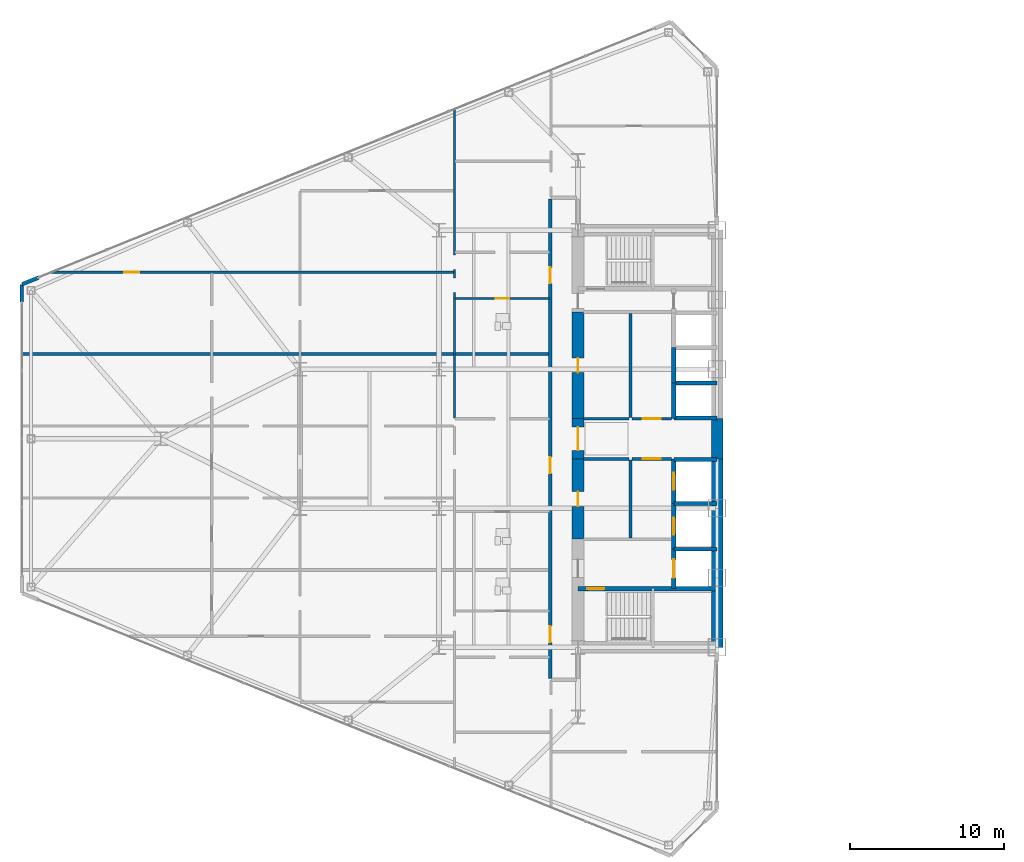
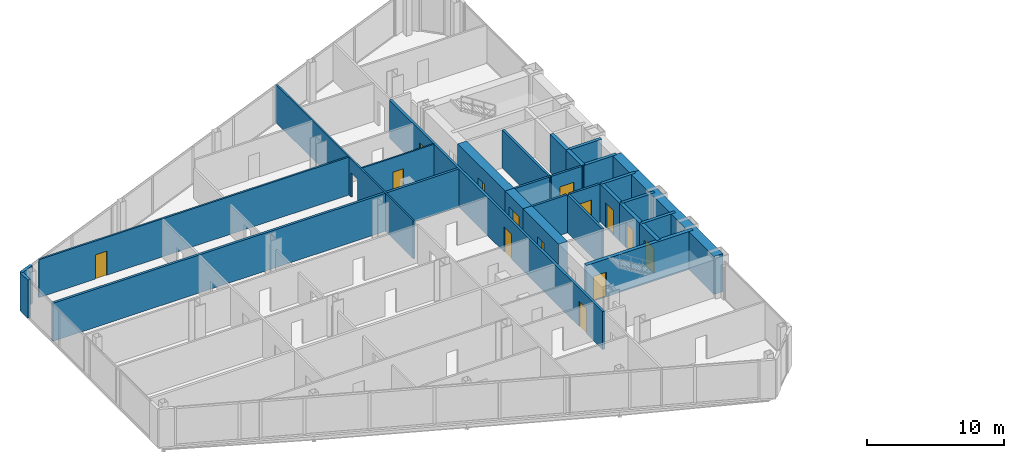
# One storey, part 18 of 25: 29 walls, 14 doors, 16 openings.
"""IFC4 building model written with IfcOpenShell, lengths in metres."""

from ifc_helpers import new_model, si_unit, direction, frame, frame_2d, origin, place, context, subcontext, project, spatial, rectangle, extrude, source, transform, mapped, material, layer, layer_set, type_object, type_shapes, element, fill, save


model = new_model("IFC4")

# Units and contexts
model_context = context("Model", 3, precision=1e-05, world=origin(), true_north=direction((0.0, 1.0)))
body_context = subcontext(model_context, "Body", "Model", "MODEL_VIEW")
ifc_project = project(units=[si_unit("LENGTHUNIT", "METRE"), si_unit("AREAUNIT", "SQUARE_METRE"), si_unit("VOLUMEUNIT", "CUBIC_METRE"), si_unit("PLANEANGLEUNIT", "RADIAN"), si_unit("MASSUNIT", "GRAM", prefix="KILO")], contexts=[model_context])

# Site, building, storey
site_placement = place(None, origin())
site = spatial("IfcSite", under=ifc_project, at=site_placement, CompositionType="ELEMENT")
building_placement = place(site_placement, origin())
building = spatial("IfcBuilding", under=site, at=building_placement, Name="Seokmaru Belvedere", CompositionType="ELEMENT")
storey_placement = place(building_placement, frame((0.0, 0.0, 44.10009765625)))
storey = spatial("IfcBuildingStorey", under=building, at=storey_placement, Name="L11", CompositionType="ELEMENT", Elevation=44.10009765625)

# Wall, opening, door
ifc_material_1 = material(Name="Fire-Rated Gypsum Shaftwall")
ifc_layer_1 = layer(ifc_material_1, 0.14990234375)
ifc_layer_set_1 = layer_set([ifc_layer_1], Name="Fire-Rated Gypsum Shaftwall")
wall_type_1 = type_object("IfcWallType", Name="Apartment Fire-Acoustic Room Partition 150", PredefinedType="PARTITIONING", material=ifc_layer_set_1)
wall_1_placement = place(storey_placement, frame((-70.613037109375, 10.780029296875, 0.0), z_axis=(0.0, 0.0, 1.0), x_axis=(1.0, 0.0, 0.0)))
wall_1 = element("IfcWall", 1, at=wall_1_placement, inside=storey, type_object=wall_type_1, Name="L11 Interior Partition 026", PredefinedType="PARTITIONING", context=body_context, shape_type="SweptSolid", body=[
    extrude(rectangle(XDim=26.06298828125, YDim=0.14990234375, at=frame_2d((13.031494140625, 0.0))), origin(), (0.0, 0.0, 1.0), 3.3798828125),
])
opening_1_placement = place(wall_1_placement, frame((4.748779296875, 0.0, 0.0)))
opening_1 = element("IfcOpeningElement", 2, at=opening_1_placement, cuts=wall_1, Name="Opening D05", PredefinedType="OPENING", context=body_context, shape_type="SweptSolid", body=[
    extrude(rectangle(XDim=0.949951171875, YDim=2.14990234375, at=frame_2d((0.47509765625, 1.074951171875))), frame((0.0, 0.0849609375, 0.0), z_axis=(0.0, -1.0, 0.0), x_axis=(1.0, 0.0, 0.0)), (0.0, 0.0, 1.0), 0.169921875),
])
ifc_material_2 = material(Name="Engineered White Oak Timber", Category="wood")
door_type_1 = type_object("IfcDoorType", Name="Apartment Interior Fire-Rated Oak Door 950x2150", OperationType="NOTDEFINED", PredefinedType="DOOR", material=ifc_material_2)
shared_shape_1 = source(origin(), body_context, "Body", "SweptSolid", [
    extrude(rectangle(XDim=0.949951171875, YDim=2.14990234375, at=frame_2d((0.47509765625, 1.074951171875))), frame((0.0, 0.02490234375, 0.0), z_axis=(0.0, -1.0, 0.0), x_axis=(1.0, 0.0, 0.0)), (0.0, 0.0, 1.0), 0.050048828125),
])
type_shapes(door_type_1, [shared_shape_1])
door_1_placement = place(opening_1_placement, origin())
door_1 = element("IfcDoor", 3, at=door_1_placement, inside=storey, type_object=door_type_1, Name="L11 Interior Door 032", OperationType="SINGLE_SWING_LEFT", OverallHeight=2.14990234375, OverallWidth=0.949951171875, PredefinedType="DOOR", context=body_context, shape_type="MappedRepresentation", body=[
    mapped(shared_shape_1, transform((0.0, 0.0, 0.0), scale=1.0)),
])
fill(opening_1, door_1)

# Walls
ifc_layer_2 = layer(ifc_material_1, 0.179931640625)
ifc_layer_set_2 = layer_set([ifc_layer_2], Name="Fire-Rated Gypsum Shaftwall")
wall_type_2 = type_object("IfcWallType", Name="Core Service Fire Partition 180", PredefinedType="PARTITIONING", material=ifc_layer_set_2)
wall_2_placement = place(storey_placement, frame((-33.10009765625, -6.419921875, 0.0), z_axis=(0.0, 0.0, 1.0), x_axis=(0.0, 1.0, 0.0)))
element("IfcWall", 4, at=wall_2_placement, inside=storey, type_object=wall_type_2, Name="L11 West South Core Service Back Wall", PredefinedType="PARTITIONING", context=body_context, shape_type="SweptSolid", body=[
    extrude(rectangle(XDim=5.0400390625, YDim=0.179931640625, at=frame_2d((2.52001953125, 0.0))), origin(), (0.0, 0.0, 1.0), 3.3798828125),
])
wall_3_placement = place(storey_placement, frame((-33.10009765625, 1.3798828125, 0.0), z_axis=(0.0, 0.0, 1.0), x_axis=(0.0, 1.0, 0.0)))
element("IfcWall", 5, at=wall_3_placement, inside=storey, type_object=wall_type_2, Name="L11 West North Core Service Back Wall", PredefinedType="PARTITIONING", context=body_context, shape_type="SweptSolid", body=[
    extrude(rectangle(XDim=6.740234375, YDim=0.179931640625, at=frame_2d((3.3701171875, 0.0))), origin(), (0.0, 0.0, 1.0), 3.3798828125),
])

# Wall, opening, door
wall_4_placement = place(storey_placement, frame((-33.02001953125, -1.300048828125, 0.0), z_axis=(0.0, 0.0, 1.0), x_axis=(1.0, 0.0, 0.0)))
wall_4 = element("IfcWall", 6, at=wall_4_placement, inside=storey, type_object=wall_type_2, Name="L11 West South Lift Lobby Foyer Wall", PredefinedType="PARTITIONING", context=body_context, shape_type="SweptSolid", body=[
    extrude(rectangle(XDim=2.570068359375, YDim=0.179931640625, at=frame_2d((1.28515625, 0.0))), origin(), (0.0, 0.0, 1.0), 3.3798828125),
])
opening_2_placement = place(wall_4_placement, frame((0.7099609375, 0.0, 0.0)))
opening_2 = element("IfcOpeningElement", 7, at=opening_2_placement, cuts=wall_4, Name="Opening D02", PredefinedType="OPENING", context=body_context, shape_type="SweptSolid", body=[
    extrude(rectangle(XDim=1.14990234375, YDim=2.199951171875, at=frame_2d((0.574951171875, 1.10009765625))), frame((0.0, 0.10009765625, 0.0), z_axis=(0.0, -1.0, 0.0), x_axis=(1.0, 0.0, 0.0)), (0.0, 0.0, 1.0), 0.199951171875),
])
ifc_material_3 = material(Name="Fire-Rated Steel Leaf", Category="steel")
door_type_2 = type_object("IfcDoorType", Name="Lobby and Vestibule Fire Door 1150x2200", OperationType="NOTDEFINED", PredefinedType="DOOR", material=ifc_material_3)
shared_shape_2 = source(origin(), body_context, "Body", "SweptSolid", [
    extrude(rectangle(XDim=1.14990234375, YDim=2.199951171875, at=frame_2d((0.574951171875, 1.10009765625))), frame((0.0, 0.02490234375, 0.0), z_axis=(0.0, -1.0, 0.0), x_axis=(1.0, 0.0, 0.0)), (0.0, 0.0, 1.0), 0.050048828125),
])
type_shapes(door_type_2, [shared_shape_2])
door_2_placement = place(opening_2_placement, origin())
door_2 = element("IfcDoor", 8, at=door_2_placement, inside=storey, type_object=door_type_2, Name="L11 West South Core Foyer Door", OperationType="SINGLE_SWING_LEFT", OverallHeight=2.199951171875, OverallWidth=1.14990234375, PredefinedType="DOOR", context=body_context, shape_type="MappedRepresentation", body=[
    mapped(shared_shape_2, transform((0.0, 0.0, 0.0), scale=1.0)),
])
fill(opening_2, door_2)

wall_5_placement = place(storey_placement, frame((-33.02001953125, 1.300048828125, 0.0), z_axis=(0.0, 0.0, 1.0), x_axis=(1.0, 0.0, 0.0)))
wall_5 = element("IfcWall", 9, at=wall_5_placement, inside=storey, type_object=wall_type_2, Name="L11 West North Lift Lobby Foyer Wall", PredefinedType="PARTITIONING", context=body_context, shape_type="SweptSolid", body=[
    extrude(rectangle(XDim=2.570068359375, YDim=0.179931640625, at=frame_2d((1.28515625, 0.0))), origin(), (0.0, 0.0, 1.0), 3.3798828125),
])
opening_3_placement = place(wall_5_placement, frame((0.7099609375, 0.0, 0.0)))
opening_3 = element("IfcOpeningElement", 10, at=opening_3_placement, cuts=wall_5, Name="Opening D02", PredefinedType="OPENING", context=body_context, shape_type="SweptSolid", body=[
    extrude(rectangle(XDim=1.14990234375, YDim=2.199951171875, at=frame_2d((0.574951171875, 1.10009765625))), frame((0.0, 0.10009765625, 0.0), z_axis=(0.0, -1.0, 0.0), x_axis=(1.0, 0.0, 0.0)), (0.0, 0.0, 1.0), 0.199951171875),
])
door_3_placement = place(opening_3_placement, origin())
door_3 = element("IfcDoor", 11, at=door_3_placement, inside=storey, type_object=door_type_2, Name="L11 West North Lift Lobby Door", OperationType="SINGLE_SWING_RIGHT", OverallHeight=2.199951171875, OverallWidth=1.14990234375, PredefinedType="DOOR", context=body_context, shape_type="MappedRepresentation", body=[
    mapped(shared_shape_2, transform((0.0, 0.0, 0.0), scale=1.0)),
])
fill(opening_3, door_3)

# Walls
for number, where, z_axis, x_axis, name in (
    (12, (-36.14990234375, -1.300048828125, 0.0), (0.0, 0.0, 1.0), (1.0, 0.0, 0.0), "L11 West Foyer Side Wall S"),
    (13, (-36.14990234375, 1.300048828125, 0.0), (0.0, 0.0, 1.0), (1.0, 0.0, 0.0), "L11 West Foyer Side Wall N"),
):
    element("IfcWall", number, at=place(storey_placement, frame(where, z_axis=z_axis, x_axis=x_axis)), inside=storey, type_object=wall_type_2, Name=name, PredefinedType="PARTITIONING", context=body_context, shape_type="SweptSolid", body=[
        extrude(rectangle(XDim=2.949951171875, YDim=0.179931640625, at=frame_2d((1.47509765625, 0.0))), origin(), (0.0, 0.0, 1.0), 3.3798828125),
    ])
ifc_material_4 = material(Name="Concrete C50 (50 MPa)", Category="concrete")
ifc_layer_3 = layer(ifc_material_4, 0.25)
ifc_layer_set_3 = layer_set([ifc_layer_3], Name="Concrete C50 (50 MPa)")
wall_type_3 = type_object("IfcWallType", Name="Hoistway Transverse Concrete Divider Wall 250", PredefinedType="SHEAR", material=ifc_layer_set_3)
for number, where, z_axis, x_axis, name in (
    (14, (-30.300048828125, -7.14990234375, 0.0), (0.0, 0.0, 1.0), (1.0, 0.0, 0.0), "L11 West Hoistway Divider Core Wall 1"),
    (15, (-30.300048828125, -4.199951171875, 0.0), (0.0, 0.0, 1.0), (1.0, 0.0, 0.0), "L11 West Hoistway Divider Core Wall 2"),
    (16, (-30.300048828125, -1.35009765625, 0.0), (0.0, 0.0, 1.0), (1.0, 0.0, 0.0), "L11 West Hoistway Divider Core Wall 3"),
    (17, (-30.300048828125, 1.35009765625, 0.0), (0.0, 0.0, 1.0), (1.0, 0.0, 0.0), "L11 West Hoistway Divider Core Wall 4"),
    (18, (-30.300048828125, 3.60009765625, 0.0), (0.0, 0.0, 1.0), (1.0, 0.0, 0.0), "L11 West Hoistway Divider Core Wall 5"),
):
    element("IfcWall", number, at=place(storey_placement, frame(where, z_axis=z_axis, x_axis=x_axis)), inside=storey, type_object=wall_type_3, Name=name, PredefinedType="SHEAR", context=body_context, shape_type="SweptSolid", body=[
        extrude(rectangle(XDim=2.800048828125, YDim=0.25, at=frame_2d((1.39990234375, 0.0))), origin(), (0.0, 0.0, 1.0), 3.3798828125),
    ])
ifc_layer_4 = layer(ifc_material_1, 0.199951171875)
ifc_layer_set_4 = layer_set([ifc_layer_4], Name="Fire-Rated Gypsum Shaftwall")
wall_type_4 = type_object("IfcWallType", Name="Inter-Tenancy Fire Compartment Partition 200", PredefinedType="PARTITIONING", material=ifc_layer_set_4)
wall_6_placement = place(storey_placement, frame((-72.5048828125, 5.5, 0.0), z_axis=(0.0, 0.0, 1.0), x_axis=(1.0, 0.0, 0.0)))
element("IfcWall", 19, at=wall_6_placement, inside=storey, type_object=wall_type_4, Name="L11 Interior Partition 022", PredefinedType="PARTITIONING", context=body_context, shape_type="SweptSolid", body=[
    extrude(rectangle(XDim=34.125, YDim=0.199951171875, at=frame_2d((17.0625, 0.0))), origin(), (0.0, 0.0, 1.0), 3.3798828125),
])

# Wall, openings, doors
wall_7_placement = place(storey_placement, frame((-38.300048828125, -15.514892578125, 0.0), z_axis=(0.0, 0.0, 1.0), x_axis=(0.0, 1.0, 0.0)))
wall_7 = element("IfcWall", 20, at=wall_7_placement, inside=storey, type_object=wall_type_4, Name="L11 Interior Partition 038", PredefinedType="PARTITIONING", context=body_context, shape_type="SweptSolid", body=[
    extrude(rectangle(XDim=31.02978515625, YDim=0.199951171875, at=frame_2d((15.514892578125, 0.0))), origin(), (0.0, 0.0, 1.0), 3.3798828125),
])
opening_4_placement = place(wall_7_placement, frame((2.344970703125, 0.0, 0.0)))
opening_4 = element("IfcOpeningElement", 21, at=opening_4_placement, cuts=wall_7, Name="Opening D03", PredefinedType="OPENING", context=body_context, shape_type="SweptSolid", body=[
    extrude(rectangle(XDim=1.050048828125, YDim=2.25, at=frame_2d((0.52490234375, 1.125))), frame((0.0, 0.10986328125, 0.0), z_axis=(0.0, -1.0, 0.0), x_axis=(1.0, 0.0, 0.0)), (0.0, 0.0, 1.0), 0.219970703125),
])
opening_5_placement = place(wall_7_placement, frame((13.280029296875, 0.0, 0.0)))
opening_5 = element("IfcOpeningElement", 22, at=opening_5_placement, cuts=wall_7, Name="Opening D03", PredefinedType="OPENING", context=body_context, shape_type="SweptSolid", body=[
    extrude(rectangle(XDim=1.050048828125, YDim=2.25, at=frame_2d((0.52490234375, 1.125))), frame((0.0, 0.10986328125, 0.0), z_axis=(0.0, -1.0, 0.0), x_axis=(1.0, 0.0, 0.0)), (0.0, 0.0, 1.0), 0.219970703125),
])
opening_6_placement = place(wall_7_placement, frame((25.5673828125, 0.0, 0.0)))
opening_6 = element("IfcOpeningElement", 23, at=opening_6_placement, cuts=wall_7, Name="Opening D03", PredefinedType="OPENING", context=body_context, shape_type="SweptSolid", body=[
    extrude(rectangle(XDim=1.050048828125, YDim=2.25, at=frame_2d((0.52490234375, 1.125))), frame((0.0, 0.10986328125, 0.0), z_axis=(0.0, -1.0, 0.0), x_axis=(1.0, 0.0, 0.0)), (0.0, 0.0, 1.0), 0.219970703125),
])
door_type_3 = type_object("IfcDoorType", Name="Apartment Entrance Fire Door 1050x2250", OperationType="NOTDEFINED", PredefinedType="DOOR", material=ifc_material_3)
shared_shape_3 = source(origin(), body_context, "Body", "SweptSolid", [
    extrude(rectangle(XDim=1.050048828125, YDim=2.25, at=frame_2d((0.52490234375, 1.125))), frame((0.0, 0.02490234375, 0.0), z_axis=(0.0, -1.0, 0.0), x_axis=(1.0, 0.0, 0.0)), (0.0, 0.0, 1.0), 0.050048828125),
])
type_shapes(door_type_3, [shared_shape_3])
door_4_placement = place(opening_4_placement, origin())
door_4 = element("IfcDoor", 24, at=door_4_placement, inside=storey, type_object=door_type_3, Name="L11 Interior Door 001", OperationType="SINGLE_SWING_RIGHT", OverallHeight=2.25, OverallWidth=1.050048828125, PredefinedType="DOOR", context=body_context, shape_type="MappedRepresentation", body=[
    mapped(shared_shape_3, transform((0.0, 0.0, 0.0), scale=1.0)),
])
fill(opening_4, door_4)
door_5_placement = place(opening_5_placement, origin())
door_5 = element("IfcDoor", 25, at=door_5_placement, inside=storey, type_object=door_type_3, Name="L11 Interior Door 013", OperationType="SINGLE_SWING_LEFT", OverallHeight=2.25, OverallWidth=1.050048828125, PredefinedType="DOOR", context=body_context, shape_type="MappedRepresentation", body=[
    mapped(shared_shape_3, transform((0.0, 0.0, 0.0), scale=1.0)),
])
fill(opening_5, door_5)
door_6_placement = place(opening_6_placement, origin())
door_6 = element("IfcDoor", 26, at=door_6_placement, inside=storey, type_object=door_type_3, Name="L11 Interior Door 025", OperationType="SINGLE_SWING_RIGHT", OverallHeight=2.25, OverallWidth=1.050048828125, PredefinedType="DOOR", context=body_context, shape_type="MappedRepresentation", body=[
    mapped(shared_shape_3, transform((0.0, 0.0, 0.0), scale=1.0)),
])
fill(opening_6, door_6)

# Wall, opening, door
ifc_layer_5 = layer(ifc_material_4, 0.300048828125)
ifc_layer_set_5 = layer_set([ifc_layer_5], Name="Concrete C50 (50 MPa)")
wall_type_5 = type_object("IfcWallType", Name="Internal Core Stair and Hoistway Wall 300", PredefinedType="SHEAR", material=ifc_layer_set_5)
wall_8_placement = place(storey_placement, frame((-36.5, -9.699951171875, 0.0), z_axis=(0.0, 0.0, 1.0), x_axis=(1.0, 0.0, 0.0)))
wall_8 = element("IfcWall", 27, at=wall_8_placement, inside=storey, type_object=wall_type_5, Name="L11 West Stair ST-1 Enclosure Wall", PredefinedType="SHEAR", context=body_context, shape_type="SweptSolid", body=[
    extrude(rectangle(XDim=9.0, YDim=0.300048828125, at=frame_2d((4.5, 0.0))), origin(), (0.0, 0.0, 1.0), 3.3798828125),
])
opening_7_placement = place(wall_8_placement, frame((0.60009765625, 0.0, 0.0)))
opening_7 = element("IfcOpeningElement", 28, at=opening_7_placement, cuts=wall_8, Name="Opening D01", PredefinedType="OPENING", context=body_context, shape_type="SweptSolid", body=[
    extrude(rectangle(XDim=1.10009765625, YDim=2.199951171875, at=frame_2d((0.550048828125, 1.10009765625))), frame((0.0, 0.16015625, 0.0), z_axis=(0.0, -1.0, 0.0), x_axis=(1.0, 0.0, 0.0)), (0.0, 0.0, 1.0), 0.320068359375),
])
door_type_4 = type_object("IfcDoorType", Name="Special Escape Stair Smokeproof Fire Door 1100x2200", OperationType="NOTDEFINED", PredefinedType="DOOR", material=ifc_material_3)
shared_shape_4 = source(origin(), body_context, "Body", "SweptSolid", [
    extrude(rectangle(XDim=1.10009765625, YDim=2.199951171875, at=frame_2d((0.550048828125, 1.10009765625))), frame((0.0, 0.02490234375, 0.0), z_axis=(0.0, -1.0, 0.0), x_axis=(1.0, 0.0, 0.0)), (0.0, 0.0, 1.0), 0.050048828125),
])
type_shapes(door_type_4, [shared_shape_4])
door_7_placement = place(opening_7_placement, frame((1.10009765625, 0.0, 0.0), z_axis=(0.0, 0.0, 1.0), x_axis=(-1.0, 0.0, 0.0)))
door_7 = element("IfcDoor", 29, at=door_7_placement, inside=storey, type_object=door_type_4, Name="L11 West Special Escape Stair ST-1 Door", OperationType="SINGLE_SWING_LEFT", OverallHeight=2.199951171875, OverallWidth=1.10009765625, PredefinedType="DOOR", context=body_context, shape_type="MappedRepresentation", body=[
    mapped(shared_shape_4, transform((0.0, 0.0, 0.0), scale=1.0)),
])
fill(opening_7, door_7)

wall_9_placement = place(storey_placement, frame((-30.300048828125, -9.679931640625, 0.0), z_axis=(0.0, 0.0, 1.0), x_axis=(0.0, 1.0, 0.0)))
wall_9 = element("IfcWall", 30, at=wall_9_placement, inside=storey, type_object=wall_type_5, Name="L11 West Firefighting Lift Shaft Front Wall", PredefinedType="SHEAR", context=body_context, shape_type="SweptSolid", body=[
    extrude(rectangle(XDim=2.559814453125, YDim=0.300048828125, at=frame_2d((1.27978515625, 0.0))), origin(), (0.0, 0.0, 1.0), 3.3798828125),
])
opening_8_placement = place(wall_9_placement, frame((0.679931640625, 0.0, 0.0)))
opening_8 = element("IfcOpeningElement", 31, at=opening_8_placement, cuts=wall_9, Name="Opening LD2", PredefinedType="OPENING", context=body_context, shape_type="SweptSolid", body=[
    extrude(rectangle(XDim=1.199951171875, YDim=2.25, at=frame_2d((0.60009765625, 1.125))), frame((0.0, 0.16015625, 0.0), z_axis=(0.0, -1.0, 0.0), x_axis=(1.0, 0.0, 0.0)), (0.0, 0.0, 1.0), 0.320068359375),
])
ifc_material_5 = material(Name="Stainless Steel 316", Category="steel")
door_type_5 = type_object("IfcDoorType", Name="Firefighting Lift Sliding Landing Door 1200x2250", OperationType="DOUBLE_DOOR_SLIDING", PredefinedType="DOOR", material=ifc_material_5)
shared_shape_5 = source(origin(), body_context, "Body", "SweptSolid", [
    extrude(rectangle(XDim=1.199951171875, YDim=2.25, at=frame_2d((0.60009765625, 1.125))), frame((0.0, 0.02490234375, 0.0), z_axis=(0.0, -1.0, 0.0), x_axis=(1.0, 0.0, 0.0)), (0.0, 0.0, 1.0), 0.050048828125),
])
type_shapes(door_type_5, [shared_shape_5])
door_8_placement = place(opening_8_placement, origin())
door_8 = element("IfcDoor", 32, at=door_8_placement, inside=storey, type_object=door_type_5, Name="L11 West Firefighting Lift Landing Door", OperationType="DOUBLE_DOOR_SLIDING", OverallHeight=2.25, OverallWidth=1.199951171875, PredefinedType="DOOR", context=body_context, shape_type="MappedRepresentation", body=[
    mapped(shared_shape_5, transform((0.0, 0.0, 0.0), scale=1.0)),
])
fill(opening_8, door_8)

wall_10_placement = place(storey_placement, frame((-30.300048828125, -7.1201171875, 0.0), z_axis=(0.0, 0.0, 1.0), x_axis=(0.0, 1.0, 0.0)))
wall_10 = element("IfcWall", 33, at=wall_10_placement, inside=storey, type_object=wall_type_5, Name="L11 West Low-Rise Lift PL-1 Front Wall", PredefinedType="SHEAR", context=body_context, shape_type="SweptSolid", body=[
    extrude(rectangle(XDim=2.920166015625, YDim=0.300048828125, at=frame_2d((1.4599609375, 0.0))), origin(), (0.0, 0.0, 1.0), 3.3798828125),
])
opening_9_placement = place(wall_10_placement, frame((0.909912109375, 0.0, 0.0)))
opening_9 = element("IfcOpeningElement", 34, at=opening_9_placement, cuts=wall_10, Name="Opening LD1", PredefinedType="OPENING", context=body_context, shape_type="SweptSolid", body=[
    extrude(rectangle(XDim=1.10009765625, YDim=2.199951171875, at=frame_2d((0.550048828125, 1.10009765625))), frame((0.0, 0.16015625, 0.0), z_axis=(0.0, -1.0, 0.0), x_axis=(1.0, 0.0, 0.0)), (0.0, 0.0, 1.0), 0.320068359375),
])
door_type_6 = type_object("IfcDoorType", Name="Passenger Lift Sliding Landing Door 1100x2200", OperationType="DOUBLE_DOOR_SLIDING", PredefinedType="DOOR", material=ifc_material_5)
shared_shape_6 = source(origin(), body_context, "Body", "SweptSolid", [
    extrude(rectangle(XDim=1.10009765625, YDim=2.199951171875, at=frame_2d((0.550048828125, 1.10009765625))), frame((0.0, 0.02490234375, 0.0), z_axis=(0.0, -1.0, 0.0), x_axis=(1.0, 0.0, 0.0)), (0.0, 0.0, 1.0), 0.050048828125),
])
type_shapes(door_type_6, [shared_shape_6])
door_9_placement = place(opening_9_placement, origin())
door_9 = element("IfcDoor", 35, at=door_9_placement, inside=storey, type_object=door_type_6, Name="L11 West Low-Rise Lift PL-1 Landing Door", OperationType="DOUBLE_DOOR_SLIDING", OverallHeight=2.199951171875, OverallWidth=1.10009765625, PredefinedType="DOOR", context=body_context, shape_type="MappedRepresentation", body=[
    mapped(shared_shape_6, transform((0.0, 0.0, 0.0), scale=1.0)),
])
fill(opening_9, door_9)

wall_11_placement = place(storey_placement, frame((-30.300048828125, -4.199951171875, 0.0), z_axis=(0.0, 0.0, 1.0), x_axis=(0.0, 1.0, 0.0)))
wall_11 = element("IfcWall", 36, at=wall_11_placement, inside=storey, type_object=wall_type_5, Name="L11 West Low-Rise Lift PL-2 Front Wall", PredefinedType="SHEAR", context=body_context, shape_type="SweptSolid", body=[
    extrude(rectangle(XDim=2.8798828125, YDim=0.300048828125, at=frame_2d((1.43994140625, 0.0))), origin(), (0.0, 0.0, 1.0), 3.3798828125),
])
opening_10_placement = place(wall_11_placement, frame((0.889892578125, 0.0, 0.0)))
opening_10 = element("IfcOpeningElement", 37, at=opening_10_placement, cuts=wall_11, Name="Opening LD1", PredefinedType="OPENING", context=body_context, shape_type="SweptSolid", body=[
    extrude(rectangle(XDim=1.10009765625, YDim=2.199951171875, at=frame_2d((0.550048828125, 1.10009765625))), frame((0.0, 0.16015625, 0.0), z_axis=(0.0, -1.0, 0.0), x_axis=(1.0, 0.0, 0.0)), (0.0, 0.0, 1.0), 0.320068359375),
])
door_10_placement = place(opening_10_placement, origin())
door_10 = element("IfcDoor", 38, at=door_10_placement, inside=storey, type_object=door_type_6, Name="L11 West Low-Rise Lift PL-2 Landing Door", OperationType="DOUBLE_DOOR_SLIDING", OverallHeight=2.199951171875, OverallWidth=1.10009765625, PredefinedType="DOOR", context=body_context, shape_type="MappedRepresentation", body=[
    mapped(shared_shape_6, transform((0.0, 0.0, 0.0), scale=1.0)),
])
fill(opening_10, door_10)

# Walls
wall_12_placement = place(storey_placement, frame((-30.300048828125, 1.320068359375, 0.0), z_axis=(0.0, 0.0, 1.0), x_axis=(0.0, 1.0, 0.0)))
element("IfcWall", 39, at=wall_12_placement, inside=storey, type_object=wall_type_5, Name="L11 West North Hoistway Wall PH1", PredefinedType="SHEAR", context=body_context, shape_type="SweptSolid", body=[
    extrude(rectangle(XDim=2.280029296875, YDim=0.300048828125, at=frame_2d((1.14013671875, 0.0))), origin(), (0.0, 0.0, 1.0), 3.3798828125),
])
wall_13_placement = place(storey_placement, frame((-30.300048828125, 3.60009765625, 0.0), z_axis=(0.0, 0.0, 1.0), x_axis=(0.0, 1.0, 0.0)))
element("IfcWall", 40, at=wall_13_placement, inside=storey, type_object=wall_type_5, Name="L11 West North Hoistway Wall PH2", PredefinedType="SHEAR", context=body_context, shape_type="SweptSolid", body=[
    extrude(rectangle(XDim=2.2998046875, YDim=0.300048828125, at=frame_2d((1.14990234375, 0.0))), origin(), (0.0, 0.0, 1.0), 3.3798828125),
])
ifc_material_6 = material(Name="Concrete C60 (60 MPa)", Category="concrete")
ifc_layer_6 = layer(ifc_material_6, 0.75)
ifc_layer_set_6 = layer_set([ifc_layer_6], Name="Concrete C60 (60 MPa)")
wall_type_6 = type_object("IfcWallType", Name="Lower Tower Reinforced Concrete Core Wall 750", PredefinedType="SHEAR", material=ifc_layer_set_6)
wall_14_placement = place(storey_placement, frame((-27.5, -13.5, 0.0), z_axis=(0.0, 0.0, 1.0), x_axis=(0.0, 1.0, 0.0)))
element("IfcWall", 41, at=wall_14_placement, inside=storey, type_object=wall_type_6, Name="L11 West Portal Spine Core Wall South", PredefinedType="SHEAR", context=body_context, shape_type="SweptSolid", body=[
    extrude(rectangle(XDim=12.199951171875, YDim=0.75, at=frame_2d((6.10009765625, 0.0))), origin(), (0.0, 0.0, 1.0), 3.3798828125),
])
wall_15_placement = place(storey_placement, frame((-27.5, -1.300048828125, 0.0), z_axis=(0.0, 0.0, 1.0), x_axis=(0.0, 1.0, 0.0)))
element("IfcWall", 42, at=wall_15_placement, inside=storey, type_object=wall_type_6, Name="L11 West Portal Spine Core Wall Center", PredefinedType="SHEAR", context=body_context, shape_type="SweptSolid", body=[
    extrude(rectangle(XDim=2.60009765625, YDim=0.75, at=frame_2d((1.300048828125, 0.0))), origin(), (0.0, 0.0, 1.0), 3.3798828125),
])

# Wall, opening, door
wall_16_placement = place(storey_placement, frame((-36.5, -1.300048828125, 0.0), z_axis=(0.0, 0.0, 1.0), x_axis=(0.0, 1.0, 0.0)))
wall_16 = element("IfcWall", 43, at=wall_16_placement, inside=storey, type_object=wall_type_6, Name="L11 West West Core Wall FOY", PredefinedType="SHEAR", context=body_context, shape_type="SweptSolid", body=[
    extrude(rectangle(XDim=2.60009765625, YDim=0.75, at=frame_2d((1.300048828125, 0.0))), origin(), (0.0, 0.0, 1.0), 3.3798828125),
])
opening_11_placement = place(wall_16_placement, frame((0.550048828125, 0.0, 0.0)))
opening_11 = element("IfcOpeningElement", 44, at=opening_11_placement, cuts=wall_16, Name="Opening D08", PredefinedType="OPENING", context=body_context, shape_type="SweptSolid", body=[
    extrude(rectangle(XDim=1.5, YDim=2.300048828125, at=frame_2d((0.75, 1.14990234375))), frame((0.0, 0.385009765625, 0.0), z_axis=(0.0, -1.0, 0.0), x_axis=(1.0, 0.0, 0.0)), (0.0, 0.0, 1.0), 0.77001953125),
])
door_type_7 = type_object("IfcDoorType", Name="Cross-Corridor Compartment Double Fire Door 1500x2300", OperationType="DOUBLE_SWING_LEFT", PredefinedType="DOOR", material=ifc_material_3)
shared_shape_7 = source(origin(), body_context, "Body", "SweptSolid", [
    extrude(rectangle(XDim=1.5, YDim=2.300048828125, at=frame_2d((0.75, 1.14990234375))), frame((0.0, 0.02490234375, 0.0), z_axis=(0.0, -1.0, 0.0), x_axis=(1.0, 0.0, 0.0)), (0.0, 0.0, 1.0), 0.050048828125),
])
type_shapes(door_type_7, [shared_shape_7])
door_11_placement = place(opening_11_placement, origin())
door_11 = element("IfcDoor", 45, at=door_11_placement, inside=storey, type_object=door_type_7, Name="L11 West Core Foyer Compartment Door", OperationType="DOUBLE_SWING_LEFT", OverallHeight=2.300048828125, OverallWidth=1.5, PredefinedType="DOOR", context=body_context, shape_type="MappedRepresentation", body=[
    mapped(shared_shape_7, transform((0.0, 0.0, 0.0), scale=1.0)),
])
fill(opening_11, door_11)

wall_17_placement = place(storey_placement, frame((-36.5, -6.5, 0.0), z_axis=(0.0, 0.0, 1.0), x_axis=(0.0, 1.0, 0.0)))
wall_17 = element("IfcWall", 46, at=wall_17_placement, inside=storey, type_object=wall_type_6, Name="L11 West West Core Wall CS1", PredefinedType="SHEAR", context=body_context, shape_type="SweptSolid", body=[
    extrude(rectangle(XDim=5.199951171875, YDim=0.75, at=frame_2d((2.60009765625, 0.0))), origin(), (0.0, 0.0, 1.0), 3.3798828125),
])
opening_12_placement = place(wall_17_placement, frame((2.125, 0.0, 0.0)))
opening_12 = element("IfcOpeningElement", 47, at=opening_12_placement, cuts=wall_17, Name="Opening D04", PredefinedType="OPENING", context=body_context, shape_type="SweptSolid", body=[
    extrude(rectangle(XDim=0.949951171875, YDim=2.14990234375, at=frame_2d((0.47509765625, 1.074951171875))), frame((0.0, 0.385009765625, 0.0), z_axis=(0.0, -1.0, 0.0), x_axis=(1.0, 0.0, 0.0)), (0.0, 0.0, 1.0), 0.77001953125),
])
door_type_8 = type_object("IfcDoorType", Name="Core Service Room Fire Door 950x2150", OperationType="NOTDEFINED", PredefinedType="DOOR", material=ifc_material_3)
shared_shape_8 = source(origin(), body_context, "Body", "SweptSolid", [
    extrude(rectangle(XDim=0.949951171875, YDim=2.14990234375, at=frame_2d((0.47509765625, 1.074951171875))), frame((0.0, 0.02490234375, 0.0), z_axis=(0.0, -1.0, 0.0), x_axis=(1.0, 0.0, 0.0)), (0.0, 0.0, 1.0), 0.050048828125),
])
type_shapes(door_type_8, [shared_shape_8])
door_12_placement = place(opening_12_placement, origin())
door_12 = element("IfcDoor", 48, at=door_12_placement, inside=storey, type_object=door_type_8, Name="L11 West Core Service Room Door 1", OperationType="SINGLE_SWING_LEFT", OverallHeight=2.14990234375, OverallWidth=0.949951171875, PredefinedType="DOOR", context=body_context, shape_type="MappedRepresentation", body=[
    mapped(shared_shape_8, transform((0.0, 0.0, 0.0), scale=1.0)),
])
fill(opening_12, door_12)

wall_18_placement = place(storey_placement, frame((-36.5, 1.300048828125, 0.0), z_axis=(0.0, 0.0, 1.0), x_axis=(0.0, 1.0, 0.0)))
wall_18 = element("IfcWall", 49, at=wall_18_placement, inside=storey, type_object=wall_type_6, Name="L11 West West Core Wall CS2", PredefinedType="SHEAR", context=body_context, shape_type="SweptSolid", body=[
    extrude(rectangle(XDim=6.89990234375, YDim=0.75, at=frame_2d((3.449951171875, 0.0))), origin(), (0.0, 0.0, 1.0), 3.3798828125),
])
opening_13_placement = place(wall_18_placement, frame((2.97509765625, 0.0, 0.0)))
opening_13 = element("IfcOpeningElement", 50, at=opening_13_placement, cuts=wall_18, Name="Opening D04", PredefinedType="OPENING", context=body_context, shape_type="SweptSolid", body=[
    extrude(rectangle(XDim=0.949951171875, YDim=2.14990234375, at=frame_2d((0.47509765625, 1.074951171875))), frame((0.0, 0.385009765625, 0.0), z_axis=(0.0, -1.0, 0.0), x_axis=(1.0, 0.0, 0.0)), (0.0, 0.0, 1.0), 0.77001953125),
])
door_13_placement = place(opening_13_placement, origin())
door_13 = element("IfcDoor", 51, at=door_13_placement, inside=storey, type_object=door_type_8, Name="L11 West Core Service Room Door 2", OperationType="SINGLE_SWING_RIGHT", OverallHeight=2.14990234375, OverallWidth=0.949951171875, PredefinedType="DOOR", context=body_context, shape_type="MappedRepresentation", body=[
    mapped(shared_shape_8, transform((0.0, 0.0, 0.0), scale=1.0)),
])
fill(opening_13, door_13)

ifc_layer_7 = layer(ifc_material_1, 0.1298828125)
ifc_layer_set_7 = layer_set([ifc_layer_7], Name="Fire-Rated Gypsum Shaftwall")
wall_type_7 = type_object("IfcWallType", Name="Moisture-Resistant Fire-Rated Bathroom Partition 130", PredefinedType="PARTITIONING", material=ifc_layer_set_7)
wall_19_placement = place(storey_placement, frame((-44.449951171875, 9.080078125, 0.0), z_axis=(0.0, 0.0, 1.0), x_axis=(1.0, 0.0, 0.0)))
wall_19 = element("IfcWall", 52, at=wall_19_placement, inside=storey, type_object=wall_type_7, Name="L11 Interior Partition 024", PredefinedType="PARTITIONING", context=body_context, shape_type="SweptSolid", body=[
    extrude(rectangle(XDim=6.099853515625, YDim=0.1298828125, at=frame_2d((3.0498046875, 0.0))), origin(), (0.0, 0.0, 1.0), 3.3798828125),
])
opening_14_placement = place(wall_19_placement, frame((2.610107421875, 0.0, 0.0)))
opening_14 = element("IfcOpeningElement", 53, at=opening_14_placement, cuts=wall_19, Name="Opening D06", PredefinedType="OPENING", context=body_context, shape_type="SweptSolid", body=[
    extrude(rectangle(XDim=0.8798828125, YDim=2.10009765625, at=frame_2d((0.43994140625, 1.050048828125))), frame((0.0, 0.074951171875, 0.0), z_axis=(0.0, -1.0, 0.0), x_axis=(1.0, 0.0, 0.0)), (0.0, 0.0, 1.0), 0.14990234375),
])
door_type_9 = type_object("IfcDoorType", Name="Bathroom and Restroom Fire-Rated Door 880x2100", OperationType="NOTDEFINED", PredefinedType="DOOR", material=ifc_material_2)
shared_shape_9 = source(origin(), body_context, "Body", "SweptSolid", [
    extrude(rectangle(XDim=0.8798828125, YDim=2.10009765625, at=frame_2d((0.43994140625, 1.050048828125))), frame((0.0, 0.02490234375, 0.0), z_axis=(0.0, -1.0, 0.0), x_axis=(1.0, 0.0, 0.0)), (0.0, 0.0, 1.0), 0.050048828125),
])
type_shapes(door_type_9, [shared_shape_9])
door_14_placement = place(opening_14_placement, origin())
door_14 = element("IfcDoor", 54, at=door_14_placement, inside=storey, type_object=door_type_9, Name="L11 Interior Door 026", OperationType="SINGLE_SWING_LEFT", OverallHeight=2.10009765625, OverallWidth=0.8798828125, PredefinedType="DOOR", context=body_context, shape_type="MappedRepresentation", body=[
    mapped(shared_shape_9, transform((0.0, 0.0, 0.0), scale=1.0)),
])
fill(opening_14, door_14)

# Wall, openings
wall_20_placement = place(storey_placement, frame((-44.5, 1.35205078125, 0.0), z_axis=(0.0, 0.0, 1.0), x_axis=(0.0, 1.0, 0.0)))
wall_20 = element("IfcWall", 55, at=wall_20_placement, inside=storey, type_object=wall_type_7, Name="L11 Interior Partition 037", PredefinedType="PARTITIONING", context=body_context, shape_type="SweptSolid", body=[
    extrude(rectangle(XDim=20.015869140625, YDim=0.1298828125, at=frame_2d((10.0078125, 0.0))), origin(), (0.0, 0.0, 1.0), 3.3798828125),
])
opening_15_placement = place(wall_20_placement, frame((8.1005859375, 0.0, 0.0)))
element("IfcOpeningElement", 56, at=opening_15_placement, cuts=wall_20, Name="L11 Cased Opening 028", PredefinedType="OPENING", context=body_context, shape_type="SweptSolid", body=[
    extrude(rectangle(XDim=0.949951171875, YDim=2.14990234375, at=frame_2d((0.47509765625, 1.074951171875))), frame((0.0, 0.074951171875, 0.0), z_axis=(0.0, -1.0, 0.0), x_axis=(1.0, 0.0, 0.0)), (0.0, 0.0, 1.0), 0.14990234375),
])
opening_16_placement = place(wall_20_placement, frame((9.6005859375, 0.0, 0.0)))
element("IfcOpeningElement", 57, at=opening_16_placement, cuts=wall_20, Name="L11 Cased Opening 029", PredefinedType="OPENING", context=body_context, shape_type="SweptSolid", body=[
    extrude(rectangle(XDim=0.949951171875, YDim=2.14990234375, at=frame_2d((0.47509765625, 1.074951171875))), frame((0.0, 0.074951171875, 0.0), z_axis=(0.0, -1.0, 0.0), x_axis=(1.0, 0.0, 0.0)), (0.0, 0.0, 1.0), 0.14990234375),
])

# Walls
ifc_material_7 = material(Name="Anodised Bronze Aluminium", Category="aluminium")
ifc_layer_8 = layer(ifc_material_7, 0.239990234375)
ifc_layer_set_8 = layer_set([ifc_layer_8], Name="Anodised Bronze Aluminium")
wall_type_8 = type_object("IfcWallType", Name="Tower Corner Spandrel Closure Wall 240", PredefinedType="SOLIDWALL", material=ifc_layer_set_8)
for number, where, z_axis, x_axis, name in (
    (58, (-71.43408203125, 10.431396484375, 0.0), (0.0, 0.0, 1.0), (-0.927007103665, -0.375043770452, 0.0), "L11 W Corner Closure Pier 3B"),
    (59, (-72.5, 9.989990234375, 0.0), (0.0, 0.0, 1.0), (0.0, -1.0, 0.0), "L11 W Corner Closure Pier 4A"),
):
    element("IfcWall", number, at=place(storey_placement, frame(where, z_axis=z_axis, x_axis=x_axis)), inside=storey, type_object=wall_type_8, Name=name, PredefinedType="SOLIDWALL", context=body_context, shape_type="SweptSolid", body=[
        extrude(rectangle(XDim=1.139892578125, YDim=0.239990234375, at=frame_2d((0.56982421875, 0.0))), origin(), (0.0, 0.0, 1.0), 3.3798828125),
    ])

save(model, "model.ifc")
